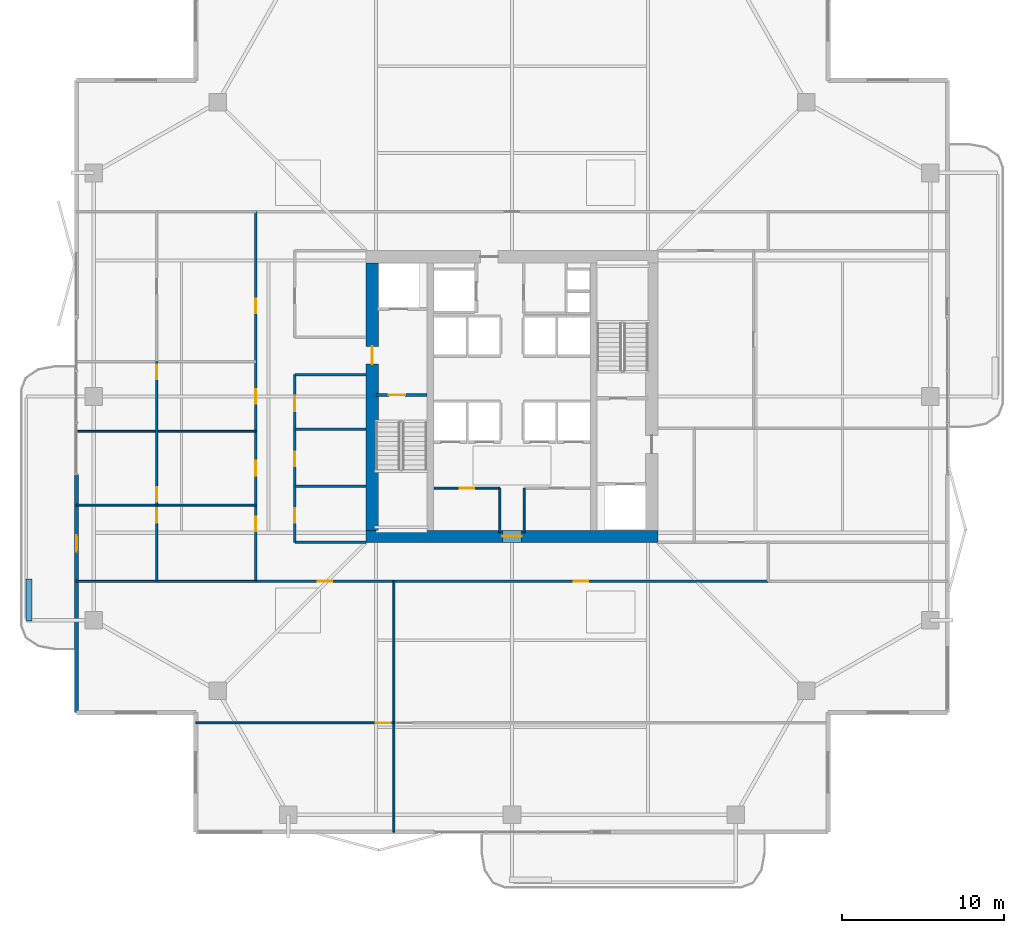
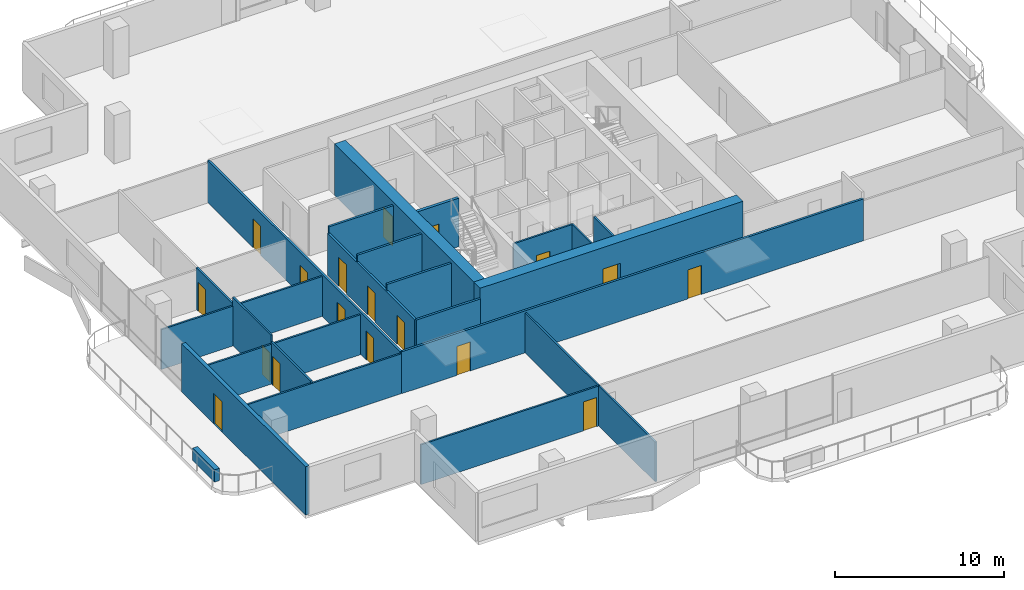
# One storey, part 17 of 24: 23 walls, 18 doors, 18 openings.
"""IFC4 building model written with IfcOpenShell, lengths in metres."""

from ifc_helpers import new_model, si_unit, direction, frame, frame_2d, origin, place, context, subcontext, project, spatial, rectangle, extrude, material, layer, layer_set, type_object, element, fill, save


model = new_model("IFC4")

# Units and contexts
model_context = context("Model", 3, precision=1e-05, world=origin(), true_north=direction((0.0, 1.0)))
body_context = subcontext(model_context, "Body", "Model", "MODEL_VIEW")
ifc_project = project(units=[si_unit("LENGTHUNIT", "METRE"), si_unit("AREAUNIT", "SQUARE_METRE"), si_unit("VOLUMEUNIT", "CUBIC_METRE"), si_unit("PLANEANGLEUNIT", "RADIAN"), si_unit("MASSUNIT", "GRAM", prefix="KILO")], contexts=[model_context])

# Site, building, storey
site_placement = place(None, origin())
site = spatial("IfcSite", under=ifc_project, at=site_placement, CompositionType="ELEMENT")
building_placement = place(site_placement, origin())
building = spatial("IfcBuilding", under=site, at=building_placement, Name="Belovzor Exchange Tower", CompositionType="ELEMENT")
storey_placement = place(building_placement, frame((0.0, 0.0, 214.949951171875)))
storey = spatial("IfcBuildingStorey", under=building, at=storey_placement, Name="L53", CompositionType="ELEMENT", Elevation=214.949951171875)

# Wall, opening, door
ifc_material_1 = material(Name="Acoustic Plasterboard on Galvanised Studs", Category="gypsum")
ifc_layer_1 = layer(ifc_material_1, 0.1201171875)
ifc_layer_set_1 = layer_set([ifc_layer_1], Name="Acoustic Plasterboard on Galvanised Studs")
wall_type_1 = type_object("IfcWallType", Name="Acoustic Double-Stud Partition Wall 120", PredefinedType="PARTITIONING", material=ifc_layer_set_1)
wall_1_placement = place(storey_placement, frame((9.300048828125, 8.6650390625, 0.0), z_axis=(0.0, 0.0, 1.0), x_axis=(1.0, 0.0, 0.0)))
wall_1 = element("IfcWall", 1, at=wall_1_placement, inside=storey, type_object=wall_type_1, Name="W-P120 Partition Wall W-L53-SHDIV-0", PredefinedType="PARTITIONING", context=body_context, shape_type="SweptSolid", body=[
    extrude(rectangle(XDim=12.2099609375, YDim=0.1201171875, at=frame_2d((6.10498046875, 0.0))), origin(), (0.0, 0.0, 1.0), 2.885009765625),
])
opening_1_placement = place(wall_1_placement, frame((11.110107421875, 0.0, 0.0)))
opening_1 = element("IfcOpeningElement", 2, at=opening_1_placement, cuts=wall_1, Name="Opening D-INT-090", PredefinedType="OPENING", context=body_context, shape_type="SweptSolid", body=[
    extrude(rectangle(XDim=0.89990234375, YDim=2.10009765625, at=frame_2d((0.449951171875, 1.050048828125))), frame((0.0, 0.070068359375, 0.0), z_axis=(0.0, -1.0, 0.0), x_axis=(1.0, 0.0, 0.0)), (0.0, 0.0, 1.0), 0.14013671875),
])
ifc_material_2 = material(Name="Veneered Hardwood Acoustic Leaf", Category="wood")
door_type_1 = type_object("IfcDoorType", Name="Trading Suite Acoustic Single Door 900x2100", OperationType="NOTDEFINED", PredefinedType="DOOR", material=ifc_material_2)
door_1_placement = place(opening_1_placement, origin())
door_1 = element("IfcDoor", 3, at=door_1_placement, inside=storey, type_object=door_type_1, Name="D-INT-090 Trading Suite Acoustic Single Door 900x2100", OperationType="SINGLE_SWING_LEFT", OverallHeight=2.10009765625, OverallWidth=0.89990234375, PredefinedType="DOOR", context=body_context, shape_type="SweptSolid", body=[
    extrude(rectangle(XDim=0.89990234375, YDim=2.10009765625, at=frame_2d((0.449951171875, 1.050048828125))), frame((0.0, 0.02490234375, 0.0), z_axis=(0.0, -1.0, 0.0), x_axis=(1.0, 0.0, 0.0)), (0.0, 0.0, 1.0), 0.050048828125),
])
fill(opening_1, door_1)

# Wall
wall_2_placement = place(storey_placement, frame((21.510009765625, 1.929931640625, 0.0), z_axis=(0.0, 0.0, 1.0), x_axis=(0.0, 1.0, 0.0)))
element("IfcWall", 4, at=wall_2_placement, inside=storey, type_object=wall_type_1, Name="W-P120 Partition Wall W-L53-SDIV-1", PredefinedType="PARTITIONING", context=body_context, shape_type="SweptSolid", body=[
    extrude(rectangle(XDim=15.469970703125, YDim=0.1201171875, at=frame_2d((7.73486328125, 0.0))), origin(), (0.0, 0.0, 1.0), 2.885009765625),
])

# Wall, opening, door
wall_3_placement = place(storey_placement, frame((6.876953125, 17.39990234375, 0.0), z_axis=(0.0, 0.0, 1.0), x_axis=(0.0, 1.0, 0.0)))
wall_3 = element("IfcWall", 5, at=wall_3_placement, inside=storey, type_object=wall_type_1, Name="W-P120 Partition Wall W-L53-WHDIV-0", PredefinedType="PARTITIONING", context=body_context, shape_type="SweptSolid", body=[
    extrude(rectangle(XDim=4.7001953125, YDim=0.1201171875, at=frame_2d((2.35009765625, 0.0))), origin(), (0.0, 0.0, 1.0), 3.03515625),
])
opening_2_placement = place(wall_3_placement, frame((3.60009765625, 0.0, 0.0)))
opening_2 = element("IfcOpeningElement", 6, at=opening_2_placement, cuts=wall_3, Name="Opening D-INT-090", PredefinedType="OPENING", context=body_context, shape_type="SweptSolid", body=[
    extrude(rectangle(XDim=0.89990234375, YDim=2.10009765625, at=frame_2d((0.449951171875, 1.050048828125))), frame((0.0, 0.070068359375, 0.0), z_axis=(0.0, -1.0, 0.0), x_axis=(1.0, 0.0, 0.0)), (0.0, 0.0, 1.0), 0.14013671875),
])
door_2_placement = place(opening_2_placement, origin())
door_2 = element("IfcDoor", 7, at=door_2_placement, inside=storey, type_object=door_type_1, Name="D-INT-090 Trading Suite Acoustic Single Door 900x2100", OperationType="SINGLE_SWING_LEFT", OverallHeight=2.10009765625, OverallWidth=0.89990234375, PredefinedType="DOOR", context=body_context, shape_type="SweptSolid", body=[
    extrude(rectangle(XDim=0.89990234375, YDim=2.10009765625, at=frame_2d((0.449951171875, 1.050048828125))), frame((0.0, 0.02490234375, 0.0), z_axis=(0.0, -1.0, 0.0), x_axis=(1.0, 0.0, 0.0)), (0.0, 0.0, 1.0), 0.050048828125),
])
fill(opening_2, door_2)

# Wall
wall_4_placement = place(storey_placement, frame((1.929931640625, 22.10009765625, 0.0), z_axis=(0.0, 0.0, 1.0), x_axis=(1.0, 0.0, 0.0)))
element("IfcWall", 8, at=wall_4_placement, inside=storey, type_object=wall_type_1, Name="W-P120 Partition Wall W-L53-WDIV-1", PredefinedType="PARTITIONING", context=body_context, shape_type="SweptSolid", body=[
    extrude(rectangle(XDim=11.070068359375, YDim=0.1201171875, at=frame_2d((5.53515625, 0.0))), origin(), (0.0, 0.0, 1.0), 2.885009765625),
])

# Wall, opening, door
wall_5_placement = place(storey_placement, frame((6.876953125, 22.10009765625, 0.0), z_axis=(0.0, 0.0, 1.0), x_axis=(0.0, 1.0, 0.0)))
wall_5 = element("IfcWall", 9, at=wall_5_placement, inside=storey, type_object=wall_type_1, Name="W-P120 Partition Wall W-L53-WHDIV-1", PredefinedType="PARTITIONING", context=body_context, shape_type="SweptSolid", body=[
    extrude(rectangle(XDim=4.557861328125, YDim=0.1201171875, at=frame_2d((2.27880859375, 0.0))), origin(), (0.0, 0.0, 1.0), 3.5),
])
opening_3_placement = place(wall_5_placement, frame((0.199951171875, 0.0, 0.0)))
opening_3 = element("IfcOpeningElement", 10, at=opening_3_placement, cuts=wall_5, Name="Opening D-INT-090", PredefinedType="OPENING", context=body_context, shape_type="SweptSolid", body=[
    extrude(rectangle(XDim=0.89990234375, YDim=2.10009765625, at=frame_2d((0.449951171875, 1.050048828125))), frame((0.0, 0.070068359375, 0.0), z_axis=(0.0, -1.0, 0.0), x_axis=(1.0, 0.0, 0.0)), (0.0, 0.0, 1.0), 0.14013671875),
])
door_3_placement = place(opening_3_placement, origin())
door_3 = element("IfcDoor", 11, at=door_3_placement, inside=storey, type_object=door_type_1, Name="D-INT-090 Trading Suite Acoustic Single Door 900x2100", OperationType="SINGLE_SWING_LEFT", OverallHeight=2.10009765625, OverallWidth=0.89990234375, PredefinedType="DOOR", context=body_context, shape_type="SweptSolid", body=[
    extrude(rectangle(XDim=0.89990234375, YDim=2.10009765625, at=frame_2d((0.449951171875, 1.050048828125))), frame((0.0, 0.02490234375, 0.0), z_axis=(0.0, -1.0, 0.0), x_axis=(1.0, 0.0, 0.0)), (0.0, 0.0, 1.0), 0.050048828125),
])
fill(opening_3, door_3)

# Wall
wall_6_placement = place(storey_placement, frame((1.929931640625, 26.657958984375, 0.0), z_axis=(0.0, 0.0, 1.0), x_axis=(1.0, 0.0, 0.0)))
element("IfcWall", 12, at=wall_6_placement, inside=storey, type_object=wall_type_1, Name="W-P120 Partition Wall W-L53-WDIV-2", PredefinedType="PARTITIONING", context=body_context, shape_type="SweptSolid", body=[
    extrude(rectangle(XDim=11.070068359375, YDim=0.1201171875, at=frame_2d((5.53515625, 0.0))), origin(), (0.0, 0.0, 1.0), 2.885009765625),
])

# Wall, opening, door
wall_7_placement = place(storey_placement, frame((6.876953125, 26.657958984375, 0.0), z_axis=(0.0, 0.0, 1.0), x_axis=(0.0, 1.0, 0.0)))
wall_7 = element("IfcWall", 13, at=wall_7_placement, inside=storey, type_object=wall_type_1, Name="W-P120 Partition Wall W-L53-WHDIV-2", PredefinedType="PARTITIONING", context=body_context, shape_type="SweptSolid", body=[
    extrude(rectangle(XDim=4.297119140625, YDim=0.1201171875, at=frame_2d((2.1484375, 0.0))), origin(), (0.0, 0.0, 1.0), 3.03515625),
])
opening_4_placement = place(wall_7_placement, frame((3.197021484375, 0.0, 0.0)))
opening_4 = element("IfcOpeningElement", 14, at=opening_4_placement, cuts=wall_7, Name="Opening D-INT-090", PredefinedType="OPENING", context=body_context, shape_type="SweptSolid", body=[
    extrude(rectangle(XDim=0.89990234375, YDim=2.10009765625, at=frame_2d((0.449951171875, 1.050048828125))), frame((0.0, 0.070068359375, 0.0), z_axis=(0.0, -1.0, 0.0), x_axis=(1.0, 0.0, 0.0)), (0.0, 0.0, 1.0), 0.14013671875),
])
door_4_placement = place(opening_4_placement, origin())
door_4 = element("IfcDoor", 15, at=door_4_placement, inside=storey, type_object=door_type_1, Name="D-INT-090 Trading Suite Acoustic Single Door 900x2100", OperationType="SINGLE_SWING_LEFT", OverallHeight=2.10009765625, OverallWidth=0.89990234375, PredefinedType="DOOR", context=body_context, shape_type="SweptSolid", body=[
    extrude(rectangle(XDim=0.89990234375, YDim=2.10009765625, at=frame_2d((0.449951171875, 1.050048828125))), frame((0.0, 0.02490234375, 0.0), z_axis=(0.0, -1.0, 0.0), x_axis=(1.0, 0.0, 0.0)), (0.0, 0.0, 1.0), 0.050048828125),
])
fill(opening_4, door_4)

# Wall
wall_8_placement = place(storey_placement, frame((1.929931640625, 17.39990234375, 0.0), z_axis=(0.0, 0.0, 1.0), x_axis=(1.0, 0.0, 0.0)))
element("IfcWall", 16, at=wall_8_placement, inside=storey, type_object=wall_type_1, Name="W-P120 Partition Wall W-L53-END-SW", PredefinedType="PARTITIONING", context=body_context, shape_type="SweptSolid", body=[
    extrude(rectangle(XDim=11.070068359375, YDim=0.1201171875, at=frame_2d((5.53515625, 0.0))), origin(), (0.0, 0.0, 1.0), 2.885009765625),
])

# Wall, opening, door
ifc_material_3 = material(Name="Fire-Rated Plasterboard on Galvanised Studs", Category="gypsum")
ifc_layer_2 = layer(ifc_material_3, 0.1201171875)
ifc_layer_set_2 = layer_set([ifc_layer_2], Name="Fire-Rated Plasterboard on Galvanised Studs")
wall_type_2 = type_object("IfcWallType", Name="Fire-Rated Double-Stud Partition Wall 120", PredefinedType="PARTITIONING", material=ifc_layer_set_2)
wall_9_placement = place(storey_placement, frame((24.0, 23.14990234375, 0.0), z_axis=(0.0, 0.0, 1.0), x_axis=(1.0, 0.0, 0.0)))
wall_9 = element("IfcWall", 17, at=wall_9_placement, inside=storey, type_object=wall_type_2, Name="W-P120F Partition Wall W-CRL-L53-WN", PredefinedType="PARTITIONING", context=body_context, shape_type="SweptSolid", body=[
    extrude(rectangle(XDim=4.050048828125, YDim=0.1201171875, at=frame_2d((2.02490234375, 0.0))), origin(), (0.0, 0.0, 1.0), 3.5),
])
opening_5_placement = place(wall_9_placement, frame((1.574951171875, 0.0, 0.0)))
opening_5 = element("IfcOpeningElement", 18, at=opening_5_placement, cuts=wall_9, Name="Opening D-FD60-090", PredefinedType="OPENING", context=body_context, shape_type="SweptSolid", body=[
    extrude(rectangle(XDim=0.89990234375, YDim=2.10009765625, at=frame_2d((0.449951171875, 1.050048828125))), frame((0.0, 0.070068359375, 0.0), z_axis=(0.0, -1.0, 0.0), x_axis=(1.0, 0.0, 0.0)), (0.0, 0.0, 1.0), 0.14013671875),
])
ifc_material_4 = material(Name="Acoustic Timber Fire Leaf", Category="wood")
door_type_2 = type_object("IfcDoorType", Name="Core Service & Restroom Fire Door 900x2100", OperationType="NOTDEFINED", PredefinedType="DOOR", material=ifc_material_4)
door_5_placement = place(opening_5_placement, origin())
door_5 = element("IfcDoor", 19, at=door_5_placement, inside=storey, type_object=door_type_2, Name="D-FD60-090 Core Service & Restroom Fire Door 900x2100", OperationType="SINGLE_SWING_LEFT", OverallHeight=2.10009765625, OverallWidth=0.89990234375, PredefinedType="DOOR", context=body_context, shape_type="SweptSolid", body=[
    extrude(rectangle(XDim=0.89990234375, YDim=2.10009765625, at=frame_2d((0.449951171875, 1.050048828125))), frame((0.0, 0.02490234375, 0.0), z_axis=(0.0, -1.0, 0.0), x_axis=(1.0, 0.0, 0.0)), (0.0, 0.0, 1.0), 0.050048828125),
])
fill(opening_5, door_5)

# Walls
for number, where, z_axis, x_axis, name in (
    (20, (28.050048828125, 20.39990234375, 0.0), (0.0, 0.0, 1.0), (0.0, 1.0, 0.0), "W-P120F Partition Wall W-CRL-L53-WE"),
    (21, (29.550048828125, 20.39990234375, 0.0), (0.0, 0.0, 1.0), (0.0, 1.0, 0.0), "W-P120F Partition Wall W-CRL-L53-EW"),
):
    element("IfcWall", number, at=place(storey_placement, frame(where, z_axis=z_axis, x_axis=x_axis)), inside=storey, type_object=wall_type_2, Name=name, PredefinedType="PARTITIONING", context=body_context, shape_type="SweptSolid", body=[
        extrude(rectangle(XDim=2.75, YDim=0.1201171875, at=frame_2d((1.375, 0.0))), origin(), (0.0, 0.0, 1.0), 3.5),
    ])
ifc_material_5 = material(Name="Fire-Rated Gypsum Block and Mineral Wool", Category="gypsum")
ifc_layer_3 = layer(ifc_material_5, 0.14990234375)
ifc_layer_set_3 = layer_set([ifc_layer_3], Name="Fire-Rated Gypsum Block and Mineral Wool")
wall_type_3 = type_object("IfcWallType", Name="Fire-Rated Gypsum Block Corridor Wall 150", PredefinedType="PARTITIONING", material=ifc_layer_set_3)
wall_10_placement = place(storey_placement, frame((15.39990234375, 19.800048828125, 0.0), z_axis=(0.0, 0.0, 1.0), x_axis=(1.0, 0.0, 0.0)))
element("IfcWall", 22, at=wall_10_placement, inside=storey, type_object=wall_type_3, Name="W-P150 Partition Wall W-L53-WIC-S", PredefinedType="PARTITIONING", context=body_context, shape_type="SweptSolid", body=[
    extrude(rectangle(XDim=4.400146484375, YDim=0.14990234375, at=frame_2d((2.2001953125, 0.0))), origin(), (0.0, 0.0, 1.0), 3.03515625),
])
for number, where, z_axis, x_axis, name in (
    (23, (15.39990234375, 23.27490234375, 0.0), (0.0, 0.0, 1.0), (1.0, 0.0, 0.0), "W-P150 Partition Wall W-L53-WIC-D1"),
    (24, (15.39990234375, 26.77490234375, 0.0), (0.0, 0.0, 1.0), (1.0, 0.0, 0.0), "W-P150 Partition Wall W-L53-WIC-D2"),
    (25, (15.39990234375, 30.14990234375, 0.0), (0.0, 0.0, 1.0), (1.0, 0.0, 0.0), "W-P150 Partition Wall W-L53-WIC-N"),
):
    element("IfcWall", number, at=place(storey_placement, frame(where, z_axis=z_axis, x_axis=x_axis)), inside=storey, type_object=wall_type_3, Name=name, PredefinedType="PARTITIONING", context=body_context, shape_type="SweptSolid", body=[
        extrude(rectangle(XDim=4.400146484375, YDim=0.14990234375, at=frame_2d((2.2001953125, 0.0))), origin(), (0.0, 0.0, 1.0), 3.5),
    ])

# Wall, openings, doors
wall_11_placement = place(storey_placement, frame((15.39990234375, 19.800048828125, 0.0), z_axis=(0.0, 0.0, 1.0), x_axis=(0.0, 1.0, 0.0)))
wall_11 = element("IfcWall", 26, at=wall_11_placement, inside=storey, type_object=wall_type_3, Name="W-P150 Partition Wall W-L53-WIE-S", PredefinedType="PARTITIONING", context=body_context, shape_type="SweptSolid", body=[
    extrude(rectangle(XDim=10.349853515625, YDim=0.14990234375, at=frame_2d((5.1748046875, 0.0))), origin(), (0.0, 0.0, 1.0), 3.03515625),
])
opening_6_placement = place(wall_11_placement, frame((1.199951171875, 0.0, 0.0)))
opening_6 = element("IfcOpeningElement", 27, at=opening_6_placement, cuts=wall_11, Name="Opening D-FD60-090", PredefinedType="OPENING", context=body_context, shape_type="SweptSolid", body=[
    extrude(rectangle(XDim=0.89990234375, YDim=2.10009765625, at=frame_2d((0.449951171875, 1.050048828125))), frame((0.0, 0.0849609375, 0.0), z_axis=(0.0, -1.0, 0.0), x_axis=(1.0, 0.0, 0.0)), (0.0, 0.0, 1.0), 0.169921875),
])
opening_7_placement = place(wall_11_placement, frame((4.699951171875, 0.0, 0.0)))
opening_7 = element("IfcOpeningElement", 28, at=opening_7_placement, cuts=wall_11, Name="Opening D-FD60-090", PredefinedType="OPENING", context=body_context, shape_type="SweptSolid", body=[
    extrude(rectangle(XDim=0.89990234375, YDim=2.10009765625, at=frame_2d((0.449951171875, 1.050048828125))), frame((0.0, 0.0849609375, 0.0), z_axis=(0.0, -1.0, 0.0), x_axis=(1.0, 0.0, 0.0)), (0.0, 0.0, 1.0), 0.169921875),
])
opening_8_placement = place(wall_11_placement, frame((8.10009765625, 0.0, 0.0)))
opening_8 = element("IfcOpeningElement", 29, at=opening_8_placement, cuts=wall_11, Name="Opening D-FD60-095", PredefinedType="OPENING", context=body_context, shape_type="SweptSolid", body=[
    extrude(rectangle(XDim=0.949951171875, YDim=2.10009765625, at=frame_2d((0.47509765625, 1.050048828125))), frame((0.0, 0.0849609375, 0.0), z_axis=(0.0, -1.0, 0.0), x_axis=(1.0, 0.0, 0.0)), (0.0, 0.0, 1.0), 0.169921875),
])
ifc_material_6 = material(Name="Moisture-Resistant Timber Fire Leaf", Category="wood")
door_type_3 = type_object("IfcDoorType", Name="Accessible Restroom Wide Fire Door 950x2100", OperationType="NOTDEFINED", PredefinedType="DOOR", material=ifc_material_6)
door_6_placement = place(opening_8_placement, origin())
door_6 = element("IfcDoor", 30, at=door_6_placement, inside=storey, type_object=door_type_3, Name="D-FD60-095 Accessible Restroom Wide Fire Door 950x2100", OperationType="SINGLE_SWING_LEFT", OverallHeight=2.10009765625, OverallWidth=0.949951171875, PredefinedType="DOOR", context=body_context, shape_type="SweptSolid", body=[
    extrude(rectangle(XDim=0.949951171875, YDim=2.10009765625, at=frame_2d((0.47509765625, 1.050048828125))), frame((0.0, 0.02490234375, 0.0), z_axis=(0.0, -1.0, 0.0), x_axis=(1.0, 0.0, 0.0)), (0.0, 0.0, 1.0), 0.050048828125),
])
fill(opening_8, door_6)
door_7_placement = place(opening_6_placement, origin())
door_7 = element("IfcDoor", 31, at=door_7_placement, inside=storey, type_object=door_type_2, Name="D-FD60-090 Core Service & Restroom Fire Door 900x2100", OperationType="SINGLE_SWING_LEFT", OverallHeight=2.10009765625, OverallWidth=0.89990234375, PredefinedType="DOOR", context=body_context, shape_type="SweptSolid", body=[
    extrude(rectangle(XDim=0.89990234375, YDim=2.10009765625, at=frame_2d((0.449951171875, 1.050048828125))), frame((0.0, 0.02490234375, 0.0), z_axis=(0.0, -1.0, 0.0), x_axis=(1.0, 0.0, 0.0)), (0.0, 0.0, 1.0), 0.050048828125),
])
fill(opening_6, door_7)
door_8_placement = place(opening_7_placement, origin())
door_8 = element("IfcDoor", 32, at=door_8_placement, inside=storey, type_object=door_type_2, Name="D-FD60-090 Core Service & Restroom Fire Door 900x2100", OperationType="SINGLE_SWING_RIGHT", OverallHeight=2.10009765625, OverallWidth=0.89990234375, PredefinedType="DOOR", context=body_context, shape_type="SweptSolid", body=[
    extrude(rectangle(XDim=0.89990234375, YDim=2.10009765625, at=frame_2d((0.449951171875, 1.050048828125))), frame((0.0, 0.02490234375, 0.0), z_axis=(0.0, -1.0, 0.0), x_axis=(1.0, 0.0, 0.0)), (0.0, 0.0, 1.0), 0.050048828125),
])
fill(opening_7, door_8)

wall_12_placement = place(storey_placement, frame((13.0, 17.39990234375, 0.0), z_axis=(0.0, 0.0, 1.0), x_axis=(1.0, 0.0, 0.0)))
wall_12 = element("IfcWall", 33, at=wall_12_placement, inside=storey, type_object=wall_type_3, Name="W-P150 Partition Wall W-L53-CS", PredefinedType="PARTITIONING", context=body_context, shape_type="SweptSolid", body=[
    extrude(rectangle(XDim=31.60009765625, YDim=0.14990234375, at=frame_2d((15.800048828125, 0.0))), origin(), (0.0, 0.0, 1.0), 3.03515625),
])
opening_9_placement = place(wall_12_placement, frame((3.804931640625, 0.0, 0.0)))
opening_9 = element("IfcOpeningElement", 34, at=opening_9_placement, cuts=wall_12, Name="Opening D-INT-090", PredefinedType="OPENING", context=body_context, shape_type="SweptSolid", body=[
    extrude(rectangle(XDim=0.89990234375, YDim=2.10009765625, at=frame_2d((0.449951171875, 1.050048828125))), frame((0.0, 0.0849609375, 0.0), z_axis=(0.0, -1.0, 0.0), x_axis=(1.0, 0.0, 0.0)), (0.0, 0.0, 1.0), 0.169921875),
])
opening_10_placement = place(wall_12_placement, frame((19.60498046875, 0.0, 0.0)))
opening_10 = element("IfcOpeningElement", 35, at=opening_10_placement, cuts=wall_12, Name="Opening D-INT-090", PredefinedType="OPENING", context=body_context, shape_type="SweptSolid", body=[
    extrude(rectangle(XDim=0.89990234375, YDim=2.10009765625, at=frame_2d((0.449951171875, 1.050048828125))), frame((0.0, 0.0849609375, 0.0), z_axis=(0.0, -1.0, 0.0), x_axis=(1.0, 0.0, 0.0)), (0.0, 0.0, 1.0), 0.169921875),
])
door_9_placement = place(opening_9_placement, origin())
door_9 = element("IfcDoor", 36, at=door_9_placement, inside=storey, type_object=door_type_1, Name="D-INT-090 Trading Suite Acoustic Single Door 900x2100", OperationType="SINGLE_SWING_RIGHT", OverallHeight=2.10009765625, OverallWidth=0.89990234375, PredefinedType="DOOR", context=body_context, shape_type="SweptSolid", body=[
    extrude(rectangle(XDim=0.89990234375, YDim=2.10009765625, at=frame_2d((0.449951171875, 1.050048828125))), frame((0.0, 0.02490234375, 0.0), z_axis=(0.0, -1.0, 0.0), x_axis=(1.0, 0.0, 0.0)), (0.0, 0.0, 1.0), 0.050048828125),
])
fill(opening_9, door_9)
door_10_placement = place(opening_10_placement, origin())
door_10 = element("IfcDoor", 37, at=door_10_placement, inside=storey, type_object=door_type_1, Name="D-INT-090 Trading Suite Acoustic Single Door 900x2100", OperationType="SINGLE_SWING_LEFT", OverallHeight=2.10009765625, OverallWidth=0.89990234375, PredefinedType="DOOR", context=body_context, shape_type="SweptSolid", body=[
    extrude(rectangle(XDim=0.89990234375, YDim=2.10009765625, at=frame_2d((0.449951171875, 1.050048828125))), frame((0.0, 0.02490234375, 0.0), z_axis=(0.0, -1.0, 0.0), x_axis=(1.0, 0.0, 0.0)), (0.0, 0.0, 1.0), 0.050048828125),
])
fill(opening_10, door_10)

wall_13_placement = place(storey_placement, frame((13.0, 17.39990234375, 0.0), z_axis=(0.0, 0.0, 1.0), x_axis=(0.0, 1.0, 0.0)))
wall_13 = element("IfcWall", 38, at=wall_13_placement, inside=storey, type_object=wall_type_3, Name="W-P150 Partition Wall W-L53-CWO", PredefinedType="PARTITIONING", context=body_context, shape_type="SweptSolid", body=[
    extrude(rectangle(XDim=22.800048828125, YDim=0.14990234375, at=frame_2d((11.39990234375, 0.0))), origin(), (0.0, 0.0, 1.0), 3.03515625),
])
opening_11_placement = place(wall_13_placement, frame((3.10009765625, 0.0, 0.0)))
opening_11 = element("IfcOpeningElement", 39, at=opening_11_placement, cuts=wall_13, Name="Opening D-INT-090", PredefinedType="OPENING", context=body_context, shape_type="SweptSolid", body=[
    extrude(rectangle(XDim=0.89990234375, YDim=2.10009765625, at=frame_2d((0.449951171875, 1.050048828125))), frame((0.0, 0.0849609375, 0.0), z_axis=(0.0, -1.0, 0.0), x_axis=(1.0, 0.0, 0.0)), (0.0, 0.0, 1.0), 0.169921875),
])
opening_12_placement = place(wall_13_placement, frame((6.529052734375, 0.0, 0.0)))
opening_12 = element("IfcOpeningElement", 40, at=opening_12_placement, cuts=wall_13, Name="Opening D-INT-090", PredefinedType="OPENING", context=body_context, shape_type="SweptSolid", body=[
    extrude(rectangle(XDim=0.89990234375, YDim=2.10009765625, at=frame_2d((0.449951171875, 1.050048828125))), frame((0.0, 0.0849609375, 0.0), z_axis=(0.0, -1.0, 0.0), x_axis=(1.0, 0.0, 0.0)), (0.0, 0.0, 1.0), 0.169921875),
])
opening_13_placement = place(wall_13_placement, frame((10.95703125, 0.0, 0.0)))
opening_13 = element("IfcOpeningElement", 41, at=opening_13_placement, cuts=wall_13, Name="Opening D-INT-090", PredefinedType="OPENING", context=body_context, shape_type="SweptSolid", body=[
    extrude(rectangle(XDim=0.89990234375, YDim=2.10009765625, at=frame_2d((0.449951171875, 1.050048828125))), frame((0.0, 0.0849609375, 0.0), z_axis=(0.0, -1.0, 0.0), x_axis=(1.0, 0.0, 0.0)), (0.0, 0.0, 1.0), 0.169921875),
])
opening_14_placement = place(wall_13_placement, frame((16.527099609375, 0.0, 0.0)))
opening_14 = element("IfcOpeningElement", 42, at=opening_14_placement, cuts=wall_13, Name="Opening D-INT-090", PredefinedType="OPENING", context=body_context, shape_type="SweptSolid", body=[
    extrude(rectangle(XDim=0.89990234375, YDim=2.10009765625, at=frame_2d((0.449951171875, 1.050048828125))), frame((0.0, 0.0849609375, 0.0), z_axis=(0.0, -1.0, 0.0), x_axis=(1.0, 0.0, 0.0)), (0.0, 0.0, 1.0), 0.169921875),
])
door_11_placement = place(opening_11_placement, origin())
door_11 = element("IfcDoor", 43, at=door_11_placement, inside=storey, type_object=door_type_1, Name="D-INT-090 Trading Suite Acoustic Single Door 900x2100", OperationType="SINGLE_SWING_LEFT", OverallHeight=2.10009765625, OverallWidth=0.89990234375, PredefinedType="DOOR", context=body_context, shape_type="SweptSolid", body=[
    extrude(rectangle(XDim=0.89990234375, YDim=2.10009765625, at=frame_2d((0.449951171875, 1.050048828125))), frame((0.0, 0.02490234375, 0.0), z_axis=(0.0, -1.0, 0.0), x_axis=(1.0, 0.0, 0.0)), (0.0, 0.0, 1.0), 0.050048828125),
])
fill(opening_11, door_11)
door_12_placement = place(opening_12_placement, origin())
door_12 = element("IfcDoor", 44, at=door_12_placement, inside=storey, type_object=door_type_1, Name="D-INT-090 Trading Suite Acoustic Single Door 900x2100", OperationType="SINGLE_SWING_LEFT", OverallHeight=2.10009765625, OverallWidth=0.89990234375, PredefinedType="DOOR", context=body_context, shape_type="SweptSolid", body=[
    extrude(rectangle(XDim=0.89990234375, YDim=2.10009765625, at=frame_2d((0.449951171875, 1.050048828125))), frame((0.0, 0.02490234375, 0.0), z_axis=(0.0, -1.0, 0.0), x_axis=(1.0, 0.0, 0.0)), (0.0, 0.0, 1.0), 0.050048828125),
])
fill(opening_12, door_12)
door_13_placement = place(opening_13_placement, origin())
door_13 = element("IfcDoor", 45, at=door_13_placement, inside=storey, type_object=door_type_1, Name="D-INT-090 Trading Suite Acoustic Single Door 900x2100", OperationType="SINGLE_SWING_LEFT", OverallHeight=2.10009765625, OverallWidth=0.89990234375, PredefinedType="DOOR", context=body_context, shape_type="SweptSolid", body=[
    extrude(rectangle(XDim=0.89990234375, YDim=2.10009765625, at=frame_2d((0.449951171875, 1.050048828125))), frame((0.0, 0.02490234375, 0.0), z_axis=(0.0, -1.0, 0.0), x_axis=(1.0, 0.0, 0.0)), (0.0, 0.0, 1.0), 0.050048828125),
])
fill(opening_13, door_13)
door_14_placement = place(opening_14_placement, origin())
door_14 = element("IfcDoor", 46, at=door_14_placement, inside=storey, type_object=door_type_1, Name="D-INT-090 Trading Suite Acoustic Single Door 900x2100", OperationType="SINGLE_SWING_LEFT", OverallHeight=2.10009765625, OverallWidth=0.89990234375, PredefinedType="DOOR", context=body_context, shape_type="SweptSolid", body=[
    extrude(rectangle(XDim=0.89990234375, YDim=2.10009765625, at=frame_2d((0.449951171875, 1.050048828125))), frame((0.0, 0.02490234375, 0.0), z_axis=(0.0, -1.0, 0.0), x_axis=(1.0, 0.0, 0.0)), (0.0, 0.0, 1.0), 0.050048828125),
])
fill(opening_14, door_14)

# Wall, opening, door
ifc_material_7 = material(Name="Precast concrete C40/50", Category="concrete")
ifc_layer_4 = layer(ifc_material_7, 0.260009765625)
ifc_layer_set_4 = layer_set([ifc_layer_4], Name="Precast concrete C40/50")
wall_type_4 = type_object("IfcWallType", Name="Precast Concrete Perimeter Loggia Frame Wall 260", PredefinedType="SOLIDWALL", material=ifc_layer_set_4)
wall_14_placement = place(storey_placement, frame((1.929931640625, 9.300048828125, 0.0), z_axis=(0.0, 0.0, 1.0), x_axis=(0.0, 1.0, 0.0)))
wall_14 = element("IfcWall", 47, at=wall_14_placement, inside=storey, type_object=wall_type_4, Name="W-EXT260 Precast Concrete Perimeter Loggia Frame Wall 260 L53", PredefinedType="SOLIDWALL", context=body_context, shape_type="SweptSolid", body=[
    extrude(rectangle(XDim=14.699951171875, YDim=0.260009765625, at=frame_2d((7.35009765625, 0.0))), origin(), (0.0, 0.0, 1.0), 3.5),
])
opening_15_placement = place(wall_14_placement, frame((9.93408203125, 0.0, 0.0)))
opening_15 = element("IfcOpeningElement", 48, at=opening_15_placement, cuts=wall_14, Name="Opening D-BAL100", PredefinedType="OPENING", context=body_context, shape_type="SweptSolid", body=[
    extrude(rectangle(XDim=1.0, YDim=2.199951171875, at=frame_2d((0.5, 1.10009765625))), frame((0.0, 0.139892578125, 0.0), z_axis=(0.0, -1.0, 0.0), x_axis=(1.0, 0.0, 0.0)), (0.0, 0.0, 1.0), 0.280029296875),
])
ifc_material_8 = material(Name="Thermally Broken Anodised Aluminium and Laminated Glass", Category="aluminium")
door_type_4 = type_object("IfcDoorType", Name="Planted Loggia Terrace Glazed Door 1000x2200", OperationType="SINGLE_SWING_LEFT", PredefinedType="DOOR", material=ifc_material_8)
door_15_placement = place(opening_15_placement, origin())
door_15 = element("IfcDoor", 49, at=door_15_placement, inside=storey, type_object=door_type_4, Name="D-BAL100 Balcony Terrace Door L53 W", OperationType="SINGLE_SWING_RIGHT", OverallHeight=2.199951171875, OverallWidth=1.0, PredefinedType="DOOR", context=body_context, shape_type="SweptSolid", body=[
    extrude(rectangle(XDim=1.0, YDim=2.199951171875, at=frame_2d((0.5, 1.10009765625))), frame((0.0, 0.02490234375, 0.0), z_axis=(0.0, -1.0, 0.0), x_axis=(1.0, 0.0, 0.0)), (0.0, 0.0, 1.0), 0.050048828125),
])
fill(opening_15, door_15)

# Wall
ifc_material_9 = material(Name="Precast concrete C40/50", Category="concrete")
ifc_layer_5 = layer(ifc_material_9, 0.35009765625)
ifc_layer_set_5 = layer_set([ifc_layer_5], Name="Precast concrete C40/50")
wall_type_5 = type_object("IfcWallType", Name="Precast Concrete Structural Tree Planter Trough 350", PredefinedType="PARAPET", material=ifc_layer_set_5)
wall_15_placement = place(storey_placement, frame((-1.0, 14.949951171875, 0.0), z_axis=(0.0, 0.0, 1.0), x_axis=(0.0, 1.0, 0.0)))
element("IfcWall", 50, at=wall_15_placement, inside=storey, type_object=wall_type_5, Name="PT-350 Precast Concrete Structural Tree Planter Trough 350 L53", PredefinedType="PARAPET", context=body_context, shape_type="SweptSolid", body=[
    extrude(rectangle(XDim=2.60009765625, YDim=0.35009765625, at=frame_2d((1.300048828125, 0.0))), origin(), (0.0, 0.0, 1.0), 0.900146484375),
])

# Wall, opening, door
ifc_material_10 = material(Name="Concrete C50/60", Category="concrete")
ifc_layer_6 = layer(ifc_material_10, 0.199951171875)
ifc_layer_set_6 = layer_set([ifc_layer_6], Name="Concrete C50/60")
wall_type_6 = type_object("IfcWallType", Name="Reinforced Concrete Core Shaft Shear Wall 200", PredefinedType="SHEAR", material=ifc_layer_set_6)
wall_16_placement = place(storey_placement, frame((20.39990234375, 28.89990234375, 0.0), z_axis=(0.0, 0.0, 1.0), x_axis=(1.0, 0.0, 0.0)))
wall_16 = element("IfcWall", 51, at=wall_16_placement, inside=storey, type_object=wall_type_6, Name="W-C200S Core Shaft Wall W-CORE-L53-FFLW1", PredefinedType="SHEAR", context=body_context, shape_type="SweptSolid", body=[
    extrude(rectangle(XDim=3.150146484375, YDim=0.199951171875, at=frame_2d((1.5751953125, 0.0))), origin(), (0.0, 0.0, 1.0), 3.5),
])
opening_16_placement = place(wall_16_placement, frame((0.800048828125, 0.0, 0.0)))
opening_16 = element("IfcOpeningElement", 52, at=opening_16_placement, cuts=wall_16, Name="Opening D-FD90-100", PredefinedType="OPENING", context=body_context, shape_type="SweptSolid", body=[
    extrude(rectangle(XDim=1.0, YDim=2.10009765625, at=frame_2d((0.5, 1.050048828125))), frame((0.0, 0.10986328125, 0.0), z_axis=(0.0, -1.0, 0.0), x_axis=(1.0, 0.0, 0.0)), (0.0, 0.0, 1.0), 0.219970703125),
])
ifc_material_11 = material(Name="Fire-Rated Galvanised Steel Leaf", Category="steel")
door_type_5 = type_object("IfcDoorType", Name="Protected Stairwell Single Fire Door 1000x2100", OperationType="NOTDEFINED", PredefinedType="DOOR", material=ifc_material_11)
door_16_placement = place(opening_16_placement, origin())
door_16 = element("IfcDoor", 53, at=door_16_placement, inside=storey, type_object=door_type_5, Name="D-FD90-100 Protected Stairwell Single Fire Door 1000x2100", OperationType="SINGLE_SWING_RIGHT", OverallHeight=2.10009765625, OverallWidth=1.0, PredefinedType="DOOR", context=body_context, shape_type="SweptSolid", body=[
    extrude(rectangle(XDim=1.0, YDim=2.10009765625, at=frame_2d((0.5, 1.050048828125))), frame((0.0, 0.02490234375, 0.0), z_axis=(0.0, -1.0, 0.0), x_axis=(1.0, 0.0, 0.0)), (0.0, 0.0, 1.0), 0.050048828125),
])
fill(opening_16, door_16)

ifc_material_12 = material(Name="Concrete C50/60", Category="concrete")
ifc_layer_7 = layer(ifc_material_12, 0.75)
ifc_layer_set_7 = layer_set([ifc_layer_7], Name="Concrete C50/60")
wall_type_7 = type_object("IfcWallType", Name="Reinforced Concrete Core Shear Wall 750", PredefinedType="SHEAR", material=ifc_layer_set_7)
wall_17_placement = place(storey_placement, frame((19.800048828125, 20.175048828125, 0.0), z_axis=(0.0, 0.0, 1.0), x_axis=(1.0, 0.0, 0.0)))
wall_17 = element("IfcWall", 54, at=wall_17_placement, inside=storey, type_object=wall_type_7, Name="CW-S075 Core Shear Wall L53 S", PredefinedType="SHEAR", context=body_context, shape_type="SweptSolid", body=[
    extrude(rectangle(XDim=18.0, YDim=0.75, at=frame_2d((9.0, 0.0))), origin(), (0.0, 0.0, 1.0), 3.75),
])
opening_17_placement = place(wall_17_placement, frame((8.39990234375, 0.0, 0.0)))
opening_17 = element("IfcOpeningElement", 55, at=opening_17_placement, cuts=wall_17, Name="Opening D-FD90-120", PredefinedType="OPENING", context=body_context, shape_type="SweptSolid", body=[
    extrude(rectangle(XDim=1.199951171875, YDim=2.199951171875, at=frame_2d((0.60009765625, 1.10009765625))), frame((0.0, 0.385009765625, 0.0), z_axis=(0.0, -1.0, 0.0), x_axis=(1.0, 0.0, 0.0)), (0.0, 0.0, 1.0), 0.77001953125),
])
ifc_material_13 = material(Name="Fire-Rated Galvanised Steel Leaf", Category="steel")
door_type_6 = type_object("IfcDoorType", Name="Heavy Plant & Foyer Fire Door 1200x2200", OperationType="NOTDEFINED", PredefinedType="DOOR", material=ifc_material_13)
door_17_placement = place(opening_17_placement, origin())
door_17 = element("IfcDoor", 56, at=door_17_placement, inside=storey, type_object=door_type_6, Name="D-FD90-120 Heavy Plant & Foyer Fire Door 1200x2200", OperationType="SINGLE_SWING_LEFT", OverallHeight=2.199951171875, OverallWidth=1.199951171875, PredefinedType="DOOR", context=body_context, shape_type="SweptSolid", body=[
    extrude(rectangle(XDim=1.199951171875, YDim=2.199951171875, at=frame_2d((0.60009765625, 1.10009765625))), frame((0.0, 0.02490234375, 0.0), z_axis=(0.0, -1.0, 0.0), x_axis=(1.0, 0.0, 0.0)), (0.0, 0.0, 1.0), 0.050048828125),
])
fill(opening_17, door_17)

wall_18_placement = place(storey_placement, frame((20.175048828125, 20.550048828125, 0.0), z_axis=(0.0, 0.0, 1.0), x_axis=(0.0, 1.0, 0.0)))
wall_18 = element("IfcWall", 57, at=wall_18_placement, inside=storey, type_object=wall_type_7, Name="CW-S075 Core Shear Wall L53 W", PredefinedType="SHEAR", context=body_context, shape_type="SweptSolid", body=[
    extrude(rectangle(XDim=16.5, YDim=0.75, at=frame_2d((8.25, 0.0))), origin(), (0.0, 0.0, 1.0), 3.75),
])
opening_18_placement = place(wall_18_placement, frame((10.25, 0.0, 0.0)))
opening_18 = element("IfcOpeningElement", 58, at=opening_18_placement, cuts=wall_18, Name="Opening D-FD90-110", PredefinedType="OPENING", context=body_context, shape_type="SweptSolid", body=[
    extrude(rectangle(XDim=1.10009765625, YDim=2.14990234375, at=frame_2d((0.550048828125, 1.074951171875))), frame((0.0, 0.385009765625, 0.0), z_axis=(0.0, -1.0, 0.0), x_axis=(1.0, 0.0, 0.0)), (0.0, 0.0, 1.0), 0.77001953125),
])
ifc_material_14 = material(Name="Fire-Rated Galvanised Steel Leaf", Category="steel")
door_type_7 = type_object("IfcDoorType", Name="Protected Escape Vestibule Fire Door 1100x2150", OperationType="NOTDEFINED", PredefinedType="DOOR", material=ifc_material_14)
door_18_placement = place(opening_18_placement, origin())
door_18 = element("IfcDoor", 59, at=door_18_placement, inside=storey, type_object=door_type_7, Name="D-FD90-110 Protected Escape Vestibule Fire Door 1100x2150", OperationType="SINGLE_SWING_LEFT", OverallHeight=2.14990234375, OverallWidth=1.10009765625, PredefinedType="DOOR", context=body_context, shape_type="SweptSolid", body=[
    extrude(rectangle(XDim=1.10009765625, YDim=2.14990234375, at=frame_2d((0.550048828125, 1.074951171875))), frame((0.0, 0.02490234375, 0.0), z_axis=(0.0, -1.0, 0.0), x_axis=(1.0, 0.0, 0.0)), (0.0, 0.0, 1.0), 0.050048828125),
])
fill(opening_18, door_18)

save(model, "model.ifc")
